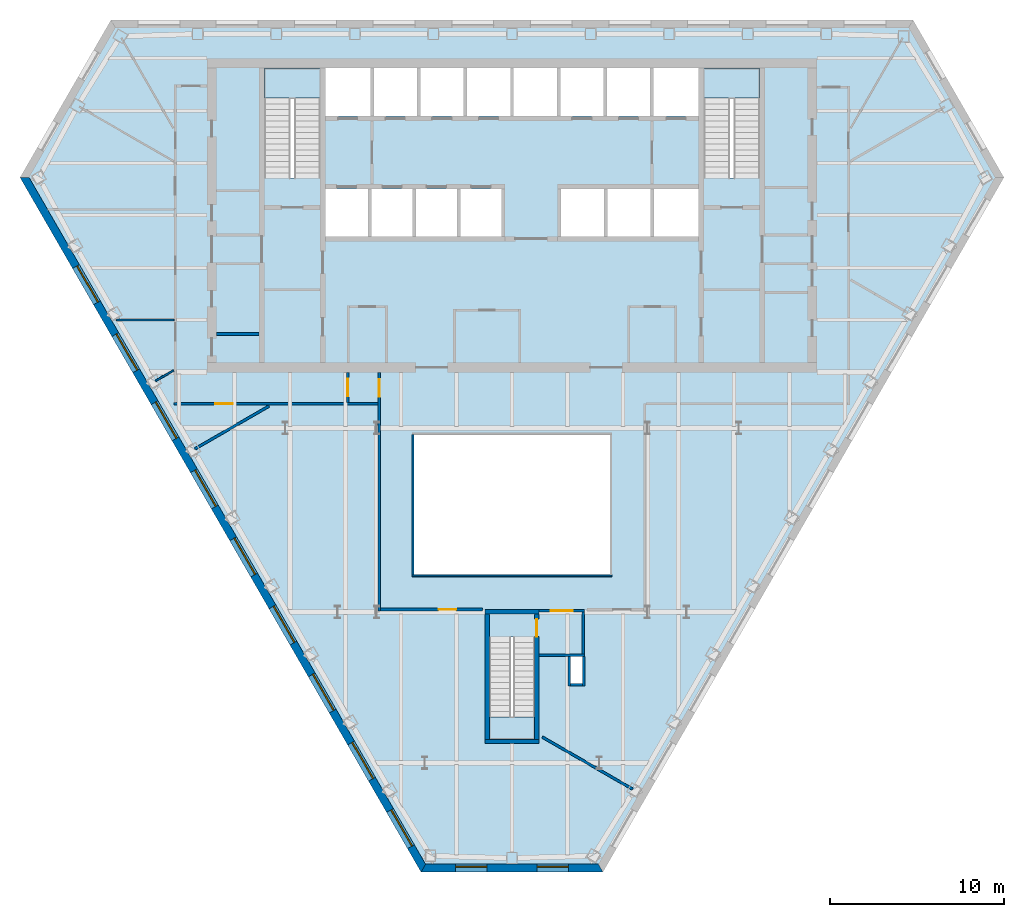
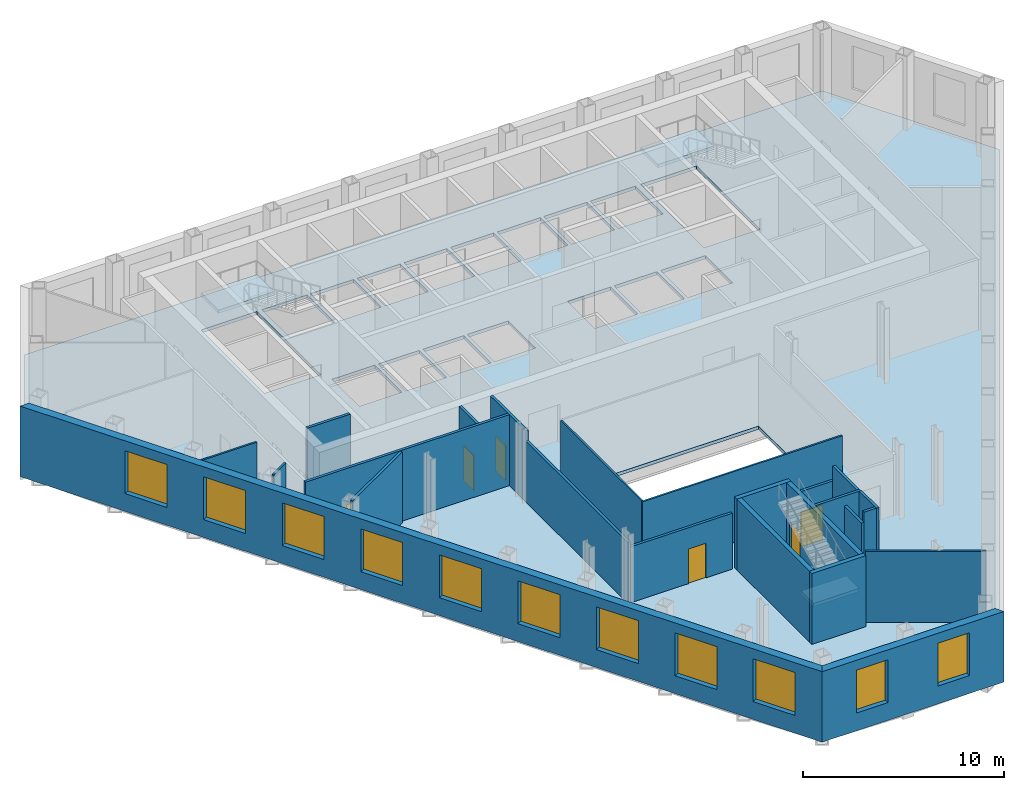
# One storey, part 4 of 11: 24 walls, 11 windows, 6 doors, 4 slabs, 17 openings, 3 elements without a shape of their own.
"""IFC4 building model written with IfcOpenShell, lengths in metres."""

import ifcopenshell
import ifcopenshell.guid

model = None  # the IFC model being written
_history = None  # IfcOwnerHistory: only IFC2X3 demands one
_inside = {}  # id of a spatial element -> (the spatial element, [elements in it])
_under = {}  # id of a project, library or spatial element -> (it, [spatial elements below it])
_declared = {}  # id of a project -> (the project, [libraries it declares])
_typed = {}  # id of a type object -> (the type object, [elements of that type])
_made_of = {}  # id of a material, layer set ... -> (it, [elements and type objects made of it])


def new_model(schema):
    """Start an empty IFC model of exactly this schema.

    Asked for "IFC4X3", IfcOpenShell would pick the latest addendum, in which some entities
    have other attributes; the version numbers below select the first issue.
    IFC2X3 requires an IfcOwnerHistory on every rooted entity: one is made here for all.
    """
    global model, _history
    if schema == "IFC4X3":
        model = ifcopenshell.file(schema_version=(4, 3, 0, 0))
    else:
        model = ifcopenshell.file(schema=schema)
    _inside.clear()
    _under.clear()
    _declared.clear()
    _typed.clear()
    _made_of.clear()
    _history = None
    if model.schema == "IFC2X3":
        org = make("IfcOrganization", Name="unknown")
        user = make(
            "IfcPersonAndOrganization",
            ThePerson=make("IfcPerson", FamilyName="unknown"),
            TheOrganization=org,
        )
        app = make(
            "IfcApplication",
            ApplicationDeveloper=org,
            Version="unknown",
            ApplicationFullName="unknown",
            ApplicationIdentifier="unknown",
        )
        _history = make(
            "IfcOwnerHistory",
            OwningUser=user,
            OwningApplication=app,
            ChangeAction="ADDED",
            CreationDate=0,
        )
    return model


def make(cls, **values):
    """One entity of the class cls with the attributes given. An attribute that is None is left unset."""
    return model.create_entity(
        cls, **{name: value for name, value in values.items() if value is not None}
    )


def rooted(cls, **values):
    """An entity with a GlobalId (a new one), such as an element, a storey or a relation."""
    return make(cls, GlobalId=ifcopenshell.guid.new(), OwnerHistory=_history, **values)


def si_unit(unit_type, name, prefix=None):
    """IfcSIUnit, for example si_unit("LENGTHUNIT", "METRE", prefix="MILLI")."""
    return make("IfcSIUnit", UnitType=unit_type, Prefix=prefix, Name=name)


def assignment(units):
    """IfcUnitAssignment: the units of a project."""
    return None if units is None else make("IfcUnitAssignment", Units=units)


def point(xyz):
    """IfcCartesianPoint."""
    return None if xyz is None else make("IfcCartesianPoint", Coordinates=xyz)


def direction(xyz):
    """IfcDirection."""
    return None if xyz is None else make("IfcDirection", DirectionRatios=xyz)


def frame(location, z_axis=None, x_axis=None):
    """IfcAxis2Placement3D, a coordinate frame: its origin and axes. An axis left out is left unset."""
    return make(
        "IfcAxis2Placement3D",
        Location=point(location),
        Axis=direction(z_axis),
        RefDirection=direction(x_axis),
    )


def frame_2d(location, x_axis=None):
    """IfcAxis2Placement2D, a coordinate frame in the plane: its origin and x axis."""
    return make(
        "IfcAxis2Placement2D", Location=point(location), RefDirection=direction(x_axis)
    )


def origin():
    """The frame at (0, 0, 0) with its axes left unset."""
    return frame((0.0, 0.0, 0.0))


def place(relative_to, where):
    """IfcLocalPlacement: puts the frame where relative to a parent placement (None: the world)."""
    return make(
        "IfcLocalPlacement", PlacementRelTo=relative_to, RelativePlacement=where
    )


def context(
    kind, dimensions, precision=None, world=None, true_north=None, identifier=None
):
    """IfcGeometricRepresentationContext, for example the 3D "Model" context."""
    return make(
        "IfcGeometricRepresentationContext",
        ContextIdentifier=identifier,
        ContextType=kind,
        CoordinateSpaceDimension=dimensions,
        Precision=precision,
        WorldCoordinateSystem=world,
        TrueNorth=true_north,
    )


def subcontext(parent, identifier, kind, view, scale=None):
    """IfcGeometricRepresentationSubContext, for example "Body" below "Model"."""
    return make(
        "IfcGeometricRepresentationSubContext",
        ContextIdentifier=identifier,
        ContextType=kind,
        ParentContext=parent,
        TargetScale=scale,
        TargetView=view,
    )


def project(units=None, contexts=None):
    """IfcProject with its units and contexts."""
    return rooted(
        "IfcProject",
        Name="project",
        RepresentationContexts=contexts,
        UnitsInContext=assignment(units),
    )


def spatial(cls, under=None, at=None, **own):
    """A site, building, storey or space (cls), placed at a placement, below another one or the project."""
    s = rooted(cls, ObjectPlacement=at, **own)
    if under is not None:
        _under.setdefault(under.id(), (under, []))[1].append(s)
    return s


def polyline(points):
    """IfcPolyline through the points."""
    return make("IfcPolyline", Points=[point(p) for p in points])


def profile(cls, at=None, kind="AREA", **sizes):
    """A parametric profile (cls). Its sizes go by their IFC names, for example OverallWidth=200.0."""
    return make(cls, ProfileType=kind, Position=at, **sizes)


def rectangle(**sizes):
    """IfcRectangleProfileDef."""
    return profile("IfcRectangleProfileDef", **sizes)


def outline(outer, holes=None, kind="AREA"):
    """IfcArbitraryClosedProfileDef: a profile drawn as a closed curve; with holes, ...WithVoids."""
    if holes is None:
        return make("IfcArbitraryClosedProfileDef", ProfileType=kind, OuterCurve=outer)
    return make(
        "IfcArbitraryProfileDefWithVoids",
        ProfileType=kind,
        OuterCurve=outer,
        InnerCurves=holes,
    )


def extrude(swept, where, along, depth):
    """IfcExtrudedAreaSolid: the profile swept, set in the frame where, extruded along a direction by depth."""
    return make(
        "IfcExtrudedAreaSolid",
        SweptArea=swept,
        Position=where,
        ExtrudedDirection=direction(along),
        Depth=depth,
    )


def shape(context_of_items, identifier, shape_type, items):
    """IfcShapeRepresentation: the items that make up one representation, for example the "Body"."""
    return make(
        "IfcShapeRepresentation",
        ContextOfItems=context_of_items,
        RepresentationIdentifier=identifier,
        RepresentationType=shape_type,
        Items=items,
    )


def material(Name=None, Category=None):
    """IfcMaterial."""
    return make("IfcMaterial", Name=Name, Category=Category)


def layer(
    of_material, thickness, ventilated=None, Name=None, Category=None, Priority=None
):
    """IfcMaterialLayer: one layer of a wall or slab, of a material (None: an air gap)."""
    return make(
        "IfcMaterialLayer",
        Material=of_material,
        LayerThickness=thickness,
        IsVentilated=ventilated,
        Name=Name,
        Category=Category,
        Priority=Priority,
    )


def layer_set(layers, Name=None):
    """IfcMaterialLayerSet."""
    return make("IfcMaterialLayerSet", MaterialLayers=layers, LayerSetName=Name)


def made_of(thing, what):
    """Note that an element or type object is made of a material, layer set ...; save() writes the relation."""
    if what is not None:
        _made_of.setdefault(what.id(), (what, []))[1].append(thing)
    return thing


def type_object(cls, material=None, **own):
    """A type object (cls), such as IfcWallType, which elements share."""
    return made_of(rooted(cls, **own), material)


def element(
    cls,
    number,
    at=None,
    inside=None,
    cuts=None,
    type_object=None,
    material=None,
    context=None,
    identifier="Body",
    shape_type=None,
    held_by="IfcProductDefinitionShape",
    body=None,
    shapes=None,
    **own,
):
    """One element of the class cls, such as IfcWall. Its Tag is "e" and its number.

    at: its placement. inside: the storey or other place that contains it. cuts: it is an
    opening in that element (IfcRelVoidsElement). A single representation is given by context,
    identifier, shape_type and body (its items); several are given by shapes. held_by: the class
    of the entity that holds the representations. save() writes the other relations.
    """
    e = rooted(cls, Tag="e%d" % number, ObjectPlacement=at, **own)
    if body is not None:
        shapes = [shape(context, identifier, shape_type, body)]
    if shapes is not None:
        e.Representation = make(held_by, Representations=shapes)
    if inside is not None:
        _inside.setdefault(inside.id(), (inside, []))[1].append(e)
    if cuts is not None:
        rooted(
            "IfcRelVoidsElement", RelatingBuildingElement=cuts, RelatedOpeningElement=e
        )
    if type_object is not None:
        _typed.setdefault(type_object.id(), (type_object, []))[1].append(e)
    return made_of(e, material)


def fill(opening, filler):
    """IfcRelFillsElement: the door or window that sits in an opening."""
    return rooted(
        "IfcRelFillsElement",
        RelatingOpeningElement=opening,
        RelatedBuildingElement=filler,
    )


def aggregate(whole, parts):
    """IfcRelAggregates: a whole, such as a stair, and the parts it consists of."""
    return rooted("IfcRelAggregates", RelatingObject=whole, RelatedObjects=parts)


def save(model, path):
    """Write the relations noted so far, then the file.

    IfcRelAggregates (storeys below a building ...), IfcRelContainedInSpatialStructure (elements
    in a storey), IfcRelDefinesByType, IfcRelAssociatesMaterial and IfcRelDeclares: one each for
    every whole, place, type object, material and project.
    """
    for whole, parts in _under.values():
        aggregate(whole, parts)
    for where, things in _inside.values():
        rooted(
            "IfcRelContainedInSpatialStructure",
            RelatedElements=things,
            RelatingStructure=where,
        )
    for kind, things in _typed.values():
        rooted("IfcRelDefinesByType", RelatedObjects=things, RelatingType=kind)
    for what, things in _made_of.values():
        rooted("IfcRelAssociatesMaterial", RelatedObjects=things, RelatingMaterial=what)
    for by, libraries in _declared.values():
        rooted("IfcRelDeclares", RelatingContext=by, RelatedDefinitions=libraries)
    model.write(path)


model = new_model("IFC4")

# Units and contexts
model_context = context("Model", 3, precision=1e-05, world=origin(), true_north=direction((0.0, 1.0)))
body_context = subcontext(model_context, "Body", "Model", "MODEL_VIEW")
ifc_project = project(units=[si_unit("LENGTHUNIT", "METRE"), si_unit("AREAUNIT", "SQUARE_METRE"), si_unit("VOLUMEUNIT", "CUBIC_METRE"), si_unit("PLANEANGLEUNIT", "RADIAN"), si_unit("MASSUNIT", "GRAM", prefix="KILO")], contexts=[model_context])

# Site, building, storey
site_placement = place(None, origin())
site = spatial("IfcSite", under=ifc_project, at=site_placement, CompositionType="ELEMENT")
building_placement = place(site_placement, origin())
building = spatial("IfcBuilding", under=site, at=building_placement, Name="Njiva Tower", CompositionType="ELEMENT")
storey_placement = place(building_placement, frame((0.0, 0.0, 84.3)))
storey = spatial("IfcBuildingStorey", under=building, at=storey_placement, Name="L17", CompositionType="ELEMENT", Elevation=84.3)

# Stair, slab
ifc_material_1 = material(Name="Concrete C40/50", Category="concrete")
stair_type_1 = type_object("IfcStairType", Name="ST4 Exit stair 1500", PredefinedType="HALF_TURN_STAIR", material=ifc_material_1)
stair_1_placement = place(storey_placement, origin())
stair_1 = element("IfcStair", 1, at=stair_1_placement, inside=storey, type_object=stair_type_1, Name="Stair A", PredefinedType="HALF_TURN_STAIR")
ifc_layer_1 = layer(ifc_material_1, 0.2)
ifc_layer_set_1 = layer_set([ifc_layer_1], Name="Concrete C40/50")
slab_type_1 = type_object("IfcSlabType", Name="FL9 Stair landing 200", PredefinedType="LANDING", material=ifc_layer_set_1)
slab_1_placement = place(storey_placement, frame((0.0, 0.0, 2.05)))
slab_1 = element("IfcSlab", 2, at=slab_1_placement, type_object=slab_type_1, Name="ST-A landing 1", PredefinedType="LANDING", context=body_context, shape_type="SweptSolid", body=[
    extrude(outline(polyline([(-14.206, 15.72), (-10.994, 15.72), (-10.994, 17.45), (-14.206, 17.45), (-14.206, 15.72)])), origin(), (0.0, 0.0, 1.0), 0.2),
])
aggregate(stair_1, [slab_1])

stair_2_placement = place(storey_placement, origin())
stair_2 = element("IfcStair", 3, at=stair_2_placement, inside=storey, type_object=stair_type_1, Name="Stair B", PredefinedType="HALF_TURN_STAIR")
slab_2_placement = place(storey_placement, frame((0.0, 0.0, 2.05)))
slab_2 = element("IfcSlab", 4, at=slab_2_placement, type_object=slab_type_1, Name="ST-B landing 1", PredefinedType="LANDING", context=body_context, shape_type="SweptSolid", body=[
    extrude(outline(polyline([(10.994, 15.72), (14.206, 15.72), (14.206, 17.45), (10.994, 17.45), (10.994, 15.72)])), origin(), (0.0, 0.0, 1.0), 0.2),
])
aggregate(stair_2, [slab_2])

stair_type_2 = type_object("IfcStairType", Name="ST1 Exit stair 1250", PredefinedType="HALF_TURN_STAIR", material=ifc_material_1)
stair_3_placement = place(storey_placement, origin())
stair_3 = element("IfcStair", 5, at=stair_3_placement, inside=storey, type_object=stair_type_2, Name="Stair C", PredefinedType="HALF_TURN_STAIR")
slab_3_placement = place(storey_placement, frame((0.0, 0.0, 2.05)))
slab_3 = element("IfcSlab", 6, at=slab_3_placement, type_object=slab_type_1, Name="ST-C landing 1", PredefinedType="LANDING", context=body_context, shape_type="SweptSolid", body=[
    extrude(outline(polyline([(-1.306, -21.05), (1.306, -21.05), (1.306, -19.78), (-1.306, -19.78), (-1.306, -21.05)])), origin(), (0.0, 0.0, 1.0), 0.2),
])
aggregate(stair_3, [slab_3])

# Slab
ifc_material_2 = material(Name="Concrete C30/37", Category="concrete")
ifc_layer_2 = layer(ifc_material_2, 0.2)
ifc_layer_set_2 = layer_set([ifc_layer_2], Name="Concrete C30/37")
slab_type_2 = type_object("IfcSlabType", Name="SL16 Composite floor slab 200", PredefinedType="FLOOR", material=ifc_layer_set_2)
slab_4_placement = place(storey_placement, frame((0.0, 0.0, -0.2)))
element("IfcSlab", 7, at=slab_4_placement, inside=storey, type_object=slab_type_2, Name="Floor slab L17", PredefinedType="FLOOR", context=body_context, shape_type="SweptSolid", body=[
    extrude(outline(polyline([(27.9502, 11.1674), (5.0851, -28.4362), (-5.0851, -28.4362), (-27.9502, 11.1674), (-22.8651, 19.975), (22.8651, 19.975), (27.9502, 11.1674)]), holes=[polyline([(10.994, 11.13), (14.206, 11.13), (14.206, 17.45), (10.994, 17.45), (10.994, 11.13)]), polyline([(8.125, 17.45), (8.125, 14.7), (10.7, 14.7), (10.7, 17.45), (8.125, 17.45)]), polyline([(8.1333, 10.5), (8.1333, 7.8), (10.7, 7.8), (10.7, 10.5), (8.1333, 10.5)]), polyline([(5.4667, 10.5), (5.4667, 7.8), (7.9333, 7.8), (7.9333, 10.5), (5.4667, 10.5)]), polyline([(5.45, 17.45), (5.45, 14.7), (7.925, 14.7), (7.925, 17.45), (5.45, 17.45)]), polyline([(5.61, -11.6), (5.61, -3.6), (-5.61, -3.6), (-5.61, -11.6), (5.61, -11.6)]), polyline([(2.8, 7.8), (5.2667, 7.8), (5.2667, 10.5), (2.8, 10.5), (2.8, 7.8)]), polyline([(2.775, 14.7), (5.25, 14.7), (5.25, 17.45), (2.775, 17.45), (2.775, 14.7)]), polyline([(3.35, -17.85), (4.05, -17.85), (4.05, -16.3), (3.35, -16.3), (3.35, -17.85)]), polyline([(0.1, 14.7), (2.575, 14.7), (2.575, 17.45), (0.1, 17.45), (0.1, 14.7)]), polyline([(-1.306, -21.05), (1.306, -21.05), (1.306, -15.19), (-1.306, -15.19), (-1.306, -21.05)]), polyline([(-2.575, 17.45), (-2.575, 14.7), (-0.1, 14.7), (-0.1, 17.45), (-2.575, 17.45)]), polyline([(-2.95, 10.5), (-2.95, 7.8), (-0.6, 7.8), (-0.6, 10.5), (-2.95, 10.5)]), polyline([(-5.25, 17.45), (-5.25, 14.7), (-2.775, 14.7), (-2.775, 17.45), (-5.25, 17.45)]), polyline([(-5.5, 10.5), (-5.5, 7.8), (-3.15, 7.8), (-3.15, 10.5), (-5.5, 10.5)]), polyline([(-7.925, 14.7), (-5.45, 14.7), (-5.45, 17.45), (-7.925, 17.45), (-7.925, 14.7)]), polyline([(-8.05, 7.8), (-5.7, 7.8), (-5.7, 10.5), (-8.05, 10.5), (-8.05, 7.8)]), polyline([(-10.7, 14.7), (-8.125, 14.7), (-8.125, 17.45), (-10.7, 17.45), (-10.7, 14.7)]), polyline([(-10.7, 7.8), (-8.25, 7.8), (-8.25, 10.5), (-10.7, 10.5), (-10.7, 7.8)]), polyline([(-14.206, 11.13), (-10.994, 11.13), (-10.994, 17.45), (-14.206, 17.45), (-14.206, 11.13)])]), origin(), (0.0, 0.0, 1.0), 0.2),
])

# Walls
ifc_material_3 = material(Name="Blockwork", Category="masonry")
ifc_layer_3 = layer(ifc_material_3, 0.15)
ifc_layer_set_3 = layer_set([ifc_layer_3], Name="Blockwork")
wall_type_1 = type_object("IfcWallType", Name="WT1 Compartment partition 150", PredefinedType="PARTITIONING", material=ifc_layer_set_3)
wall_1_placement = place(storey_placement, frame((-16.95, 2.1948, 0.0), z_axis=(0.0, 0.0, 1.0), x_axis=(1.0, 0.0, 0.0)))
element("IfcWall", 8, at=wall_1_placement, inside=storey, type_object=wall_type_1, Name="Partition strip W00", PredefinedType="PARTITIONING", context=body_context, shape_type="SweptSolid", body=[
    extrude(rectangle(XDim=2.45, YDim=0.15, at=frame_2d((1.225, 0.0))), origin(), (0.0, 0.0, 1.0), 4.3),
])
ifc_material_4 = material(Name="Gypsum board on steel studs", Category="gypsum")
ifc_layer_4 = layer(ifc_material_4, 0.1)
ifc_layer_set_4 = layer_set([ifc_layer_4], Name="Gypsum board on steel studs")
wall_type_2 = type_object("IfcWallType", Name="WT20 Gypsum partition 100", PredefinedType="PARTITIONING", material=ifc_layer_set_4)
wall_2_placement = place(storey_placement, frame((-22.68, 3.004, 0.0), z_axis=(0.0, 0.0, 1.0), x_axis=(0.99999885563, -0.001512857573, 0.0)))
element("IfcWall", 9, at=wall_2_placement, inside=storey, type_object=wall_type_2, Name="Partition S06-P003", PredefinedType="PARTITIONING", context=body_context, shape_type="SweptSolid", body=[
    extrude(rectangle(XDim=3.305, YDim=0.1, at=frame_2d((1.6525, 0.0))), origin(), (0.0, 0.0, 1.0), 3.8),
])
wall_3_placement = place(storey_placement, frame((-20.44, -0.49, 0.0), z_axis=(0.0, 0.0, 1.0), x_axis=(0.866546020567, 0.499097179154, 0.0)))
element("IfcWall", 10, at=wall_3_placement, inside=storey, type_object=wall_type_2, Name="Partition S06-P005", PredefinedType="PARTITIONING", context=body_context, shape_type="SweptSolid", body=[
    extrude(rectangle(XDim=1.2002, YDim=0.1, at=frame_2d((0.6001, 0.0))), origin(), (0.0, 0.0, 1.0), 4.3),
])

# Wall, opening, door
ifc_layer_5 = layer(ifc_material_4, 0.15)
ifc_layer_set_5 = layer_set([ifc_layer_5], Name="Gypsum board on steel studs")
wall_type_3 = type_object("IfcWallType", Name="WT21 Compartment wall 150", PredefinedType="PARTITIONING", material=ifc_layer_set_5)
wall_4_placement = place(storey_placement, frame((-19.375, -1.8, 0.0), z_axis=(0.0, 0.0, 1.0), x_axis=(1.0, 0.0, 0.0)))
wall_4 = element("IfcWall", 11, at=wall_4_placement, inside=storey, type_object=wall_type_3, Name="Partition S06-P006", PredefinedType="PARTITIONING", context=body_context, shape_type="SweptSolid", body=[
    extrude(rectangle(XDim=11.69, YDim=0.15, at=frame_2d((5.845, 0.0))), origin(), (0.0, 0.0, 1.0), 4.3),
])
opening_1_placement = place(wall_4_placement, frame((2.365, 0.0, 0.0)))
opening_1 = element("IfcOpeningElement", 12, at=opening_1_placement, cuts=wall_4, Name="Opening S06-D001", PredefinedType="OPENING", context=body_context, shape_type="SweptSolid", body=[
    extrude(rectangle(XDim=1.0, YDim=2.1, at=frame_2d((0.5, 1.05))), frame((0.0, 0.085, 0.0), z_axis=(0.0, -1.0, 0.0), x_axis=(1.0, 0.0, 0.0)), (0.0, 0.0, 1.0), 0.17),
])
ifc_material_5 = material(Name="Steel fire door set", Category="steel")
door_type_1 = type_object("IfcDoorType", Name="D37 Fire door 1000x2100", OperationType="SINGLE_SWING_LEFT", PredefinedType="DOOR", material=ifc_material_5)
door_1_placement = place(opening_1_placement, origin())
door_1 = element("IfcDoor", 13, at=door_1_placement, inside=storey, type_object=door_type_1, Name="Door S06-D001", OperationType="SINGLE_SWING_LEFT", OverallHeight=2.1, OverallWidth=1.0, PredefinedType="DOOR", context=body_context, shape_type="SweptSolid", body=[
    extrude(rectangle(XDim=1.0, YDim=2.1, at=frame_2d((0.5, 1.05))), frame((0.0, 0.025, 0.0), z_axis=(0.0, -1.0, 0.0), x_axis=(1.0, 0.0, 0.0)), (0.0, 0.0, 1.0), 0.05),
])
fill(opening_1, door_1)

# Wall
wall_5_placement = place(storey_placement, frame((-18.186, -4.394, 0.0), z_axis=(0.0, 0.0, 1.0), x_axis=(0.866053278629, 0.499951716245, 0.0)))
element("IfcWall", 14, at=wall_5_placement, inside=storey, type_object=wall_type_3, Name="Partition S06-P011", PredefinedType="PARTITIONING", context=body_context, shape_type="SweptSolid", body=[
    extrude(rectangle(XDim=4.9085, YDim=0.15, at=frame_2d((2.4542, 0.0))), origin(), (0.0, 0.0, 1.0), 4.3),
])

# Wall, opening, door
wall_6_placement = place(storey_placement, frame((-9.41, -1.725, 0.0), z_axis=(0.0, 0.0, 1.0), x_axis=(0.0, 1.0, 0.0)))
wall_6 = element("IfcWall", 15, at=wall_6_placement, inside=storey, type_object=wall_type_3, Name="Partition S06-P012", PredefinedType="PARTITIONING", context=body_context, shape_type="SweptSolid", body=[
    extrude(rectangle(XDim=1.725, YDim=0.15, at=frame_2d((0.8625, 0.0))), origin(), (0.0, 0.0, 1.0), 4.3),
])
opening_2_placement = place(wall_6_placement, frame((0.363, 0.0, 0.0)))
opening_2 = element("IfcOpeningElement", 16, at=opening_2_placement, cuts=wall_6, Name="Opening S06-D007", PredefinedType="OPENING", context=body_context, shape_type="SweptSolid", body=[
    extrude(rectangle(XDim=1.0, YDim=2.1, at=frame_2d((0.5, 1.05))), frame((0.0, 0.085, 0.0), z_axis=(0.0, -1.0, 0.0), x_axis=(1.0, 0.0, 0.0)), (0.0, 0.0, 1.0), 0.17),
])
door_2_placement = place(opening_2_placement, origin())
door_2 = element("IfcDoor", 17, at=door_2_placement, inside=storey, type_object=door_type_1, Name="Door S06-D007", OperationType="SINGLE_SWING_LEFT", OverallHeight=2.1, OverallWidth=1.0, PredefinedType="DOOR", context=body_context, shape_type="SweptSolid", body=[
    extrude(rectangle(XDim=1.0, YDim=2.1, at=frame_2d((0.5, 1.05))), frame((0.0, 0.025, 0.0), z_axis=(0.0, -1.0, 0.0), x_axis=(1.0, 0.0, 0.0)), (0.0, 0.0, 1.0), 0.05),
])
fill(opening_2, door_2)

# Wall
wall_7_placement = place(storey_placement, frame((-7.61, -13.675, 0.0), z_axis=(0.0, 0.0, 1.0), x_axis=(0.0, 1.0, 0.0)))
element("IfcWall", 18, at=wall_7_placement, inside=storey, type_object=wall_type_3, Name="Partition S06-P013", PredefinedType="PARTITIONING", context=body_context, shape_type="SweptSolid", body=[
    extrude(rectangle(XDim=10.167, YDim=0.15, at=frame_2d((5.0835, 0.0))), origin(), (0.0, 0.0, 1.0), 3.7),
])

# Wall, opening, door
wall_8_placement = place(storey_placement, frame((-7.61, -3.508, 0.0), z_axis=(0.0, 0.0, 1.0), x_axis=(0.0, 1.0, 0.0)))
wall_8 = element("IfcWall", 19, at=wall_8_placement, inside=storey, type_object=wall_type_3, Name="Partition S06-P013A", PredefinedType="PARTITIONING", context=body_context, shape_type="SweptSolid", body=[
    extrude(rectangle(XDim=3.508, YDim=0.15, at=frame_2d((1.754, 0.0))), origin(), (0.0, 0.0, 1.0), 4.3),
])
opening_3_placement = place(wall_8_placement, frame((2.108, 0.0, 0.0)))
opening_3 = element("IfcOpeningElement", 20, at=opening_3_placement, cuts=wall_8, Name="Opening S06-D008", PredefinedType="OPENING", context=body_context, shape_type="SweptSolid", body=[
    extrude(rectangle(XDim=1.0, YDim=2.1, at=frame_2d((0.5, 1.05))), frame((0.0, 0.085, 0.0), z_axis=(0.0, -1.0, 0.0), x_axis=(1.0, 0.0, 0.0)), (0.0, 0.0, 1.0), 0.17),
])
door_3_placement = place(opening_3_placement, origin())
door_3 = element("IfcDoor", 21, at=door_3_placement, inside=storey, type_object=door_type_1, Name="Door S06-D008", OperationType="SINGLE_SWING_LEFT", OverallHeight=2.1, OverallWidth=1.0, PredefinedType="DOOR", context=body_context, shape_type="SweptSolid", body=[
    extrude(rectangle(XDim=1.0, YDim=2.1, at=frame_2d((0.5, 1.05))), frame((0.0, 0.025, 0.0), z_axis=(0.0, -1.0, 0.0), x_axis=(1.0, 0.0, 0.0)), (0.0, 0.0, 1.0), 0.05),
])
fill(opening_3, door_3)

wall_9_placement = place(storey_placement, frame((-7.535, -13.6, 0.0), z_axis=(0.0, 0.0, 1.0), x_axis=(1.0, 0.0, 0.0)))
wall_9 = element("IfcWall", 22, at=wall_9_placement, inside=storey, type_object=wall_type_3, Name="Partition S06-P014", PredefinedType="PARTITIONING", context=body_context, shape_type="SweptSolid", body=[
    extrude(rectangle(XDim=5.835, YDim=0.15, at=frame_2d((2.9175, 0.0))), origin(), (0.0, 0.0, 1.0), 3.39),
])
opening_4_placement = place(wall_9_placement, frame((3.324, 0.0, 0.0)))
opening_4 = element("IfcOpeningElement", 23, at=opening_4_placement, cuts=wall_9, Name="Opening S06-D009", PredefinedType="OPENING", context=body_context, shape_type="SweptSolid", body=[
    extrude(rectangle(XDim=1.0, YDim=2.1, at=frame_2d((0.5, 1.05))), frame((0.0, 0.085, 0.0), z_axis=(0.0, -1.0, 0.0), x_axis=(1.0, 0.0, 0.0)), (0.0, 0.0, 1.0), 0.17),
])
door_4_placement = place(opening_4_placement, origin())
door_4 = element("IfcDoor", 24, at=door_4_placement, inside=storey, type_object=door_type_1, Name="Door S06-D009", OperationType="SINGLE_SWING_RIGHT", OverallHeight=2.1, OverallWidth=1.0, PredefinedType="DOOR", context=body_context, shape_type="SweptSolid", body=[
    extrude(rectangle(XDim=1.0, YDim=2.1, at=frame_2d((0.5, 1.05))), frame((0.0, 0.025, 0.0), z_axis=(0.0, -1.0, 0.0), x_axis=(1.0, 0.0, 0.0)), (0.0, 0.0, 1.0), 0.05),
])
fill(opening_4, door_4)

# Walls
wall_10_placement = place(storey_placement, frame((1.737, -20.916, 0.0), z_axis=(0.0, 0.0, 1.0), x_axis=(0.866168895605, -0.499751382476, 0.0)))
element("IfcWall", 25, at=wall_10_placement, inside=storey, type_object=wall_type_3, Name="Partition S06-P015", PredefinedType="PARTITIONING", context=body_context, shape_type="SweptSolid", body=[
    extrude(rectangle(XDim=5.985, YDim=0.15, at=frame_2d((2.9925, 0.0))), origin(), (0.0, 0.0, 1.0), 4.3),
])
ifc_layer_6 = layer(ifc_material_3, 0.15)
ifc_layer_set_6 = layer_set([ifc_layer_6], Name="Blockwork")
wall_type_4 = type_object("IfcWallType", Name="WT4 Stair partition 150", PredefinedType="PARTITIONING", material=ifc_layer_set_6)
wall_11_placement = place(storey_placement, frame((1.55, -16.225, 0.0), z_axis=(0.0, 0.0, 1.0), x_axis=(1.0, 0.0, 0.0)))
element("IfcWall", 26, at=wall_11_placement, inside=storey, type_object=wall_type_4, Name="Stair C vestibule wall south", PredefinedType="PARTITIONING", context=body_context, shape_type="SweptSolid", body=[
    extrude(rectangle(XDim=2.6, YDim=0.15, at=frame_2d((1.3, 0.0))), origin(), (0.0, 0.0, 1.0), 4.3),
])
wall_12_placement = place(storey_placement, frame((4.075, -16.15, 0.0), z_axis=(0.0, 0.0, 1.0), x_axis=(0.0, 1.0, 0.0)))
element("IfcWall", 27, at=wall_12_placement, inside=storey, type_object=wall_type_4, Name="Stair C vestibule wall east", PredefinedType="PARTITIONING", context=body_context, shape_type="SweptSolid", body=[
    extrude(rectangle(XDim=2.4, YDim=0.15, at=frame_2d((1.2, 0.0))), origin(), (0.0, 0.0, 1.0), 4.3),
])

# Wall, opening, door
wall_13_placement = place(storey_placement, frame((1.55, -13.675, 0.0), z_axis=(0.0, 0.0, 1.0), x_axis=(1.0, 0.0, 0.0)))
wall_13 = element("IfcWall", 28, at=wall_13_placement, inside=storey, type_object=wall_type_4, Name="Stair C vestibule wall north", PredefinedType="PARTITIONING", context=body_context, shape_type="SweptSolid", body=[
    extrude(rectangle(XDim=2.6, YDim=0.15, at=frame_2d((1.3, 0.0))), origin(), (0.0, 0.0, 1.0), 3.39),
])
opening_5_placement = place(wall_13_placement, frame((0.675, 0.0, 0.0)))
opening_5 = element("IfcOpeningElement", 29, at=opening_5_placement, cuts=wall_13, Name="Opening S06-D939", PredefinedType="OPENING", context=body_context, shape_type="SweptSolid", body=[
    extrude(rectangle(XDim=1.25, YDim=2.1, at=frame_2d((0.625, 1.05))), frame((0.0, 0.085, 0.0), z_axis=(0.0, -1.0, 0.0), x_axis=(1.0, 0.0, 0.0)), (0.0, 0.0, 1.0), 0.17),
])
ifc_material_6 = material(Name="Glazed steel fire door", Category="steel")
door_type_2 = type_object("IfcDoorType", Name="D8 Vestibule corridor door 1250x2100 glazed", OperationType="SINGLE_SWING_LEFT", PredefinedType="DOOR", material=ifc_material_6)
door_5_placement = place(opening_5_placement, origin())
door_5 = element("IfcDoor", 30, at=door_5_placement, inside=storey, type_object=door_type_2, Name="Stair vestibule corridor door", OperationType="SINGLE_SWING_RIGHT", OverallHeight=2.1, OverallWidth=1.25, PredefinedType="DOOR", context=body_context, shape_type="SweptSolid", body=[
    extrude(rectangle(XDim=1.25, YDim=2.1, at=frame_2d((0.625, 1.05))), frame((0.0, 0.025, 0.0), z_axis=(0.0, -1.0, 0.0), x_axis=(1.0, 0.0, 0.0)), (0.0, 0.0, 1.0), 0.05),
])
fill(opening_5, door_5)

# Walls
wall_14_placement = place(storey_placement, frame((3.275, -18.0, 0.0), z_axis=(0.0, 0.0, 1.0), x_axis=(0.0, 1.0, 0.0)))
element("IfcWall", 31, at=wall_14_placement, inside=storey, type_object=wall_type_4, Name="Stair C pressurisation shaft wall", PredefinedType="PARTITIONING", context=body_context, shape_type="SweptSolid", body=[
    extrude(rectangle(XDim=1.7, YDim=0.15, at=frame_2d((0.85, 0.0))), origin(), (0.0, 0.0, 1.0), 3.7),
])
wall_15_placement = place(storey_placement, frame((3.35, -17.925, 0.0), z_axis=(0.0, 0.0, 1.0), x_axis=(1.0, 0.0, 0.0)))
element("IfcWall", 32, at=wall_15_placement, inside=storey, type_object=wall_type_4, Name="Stair C pressurisation shaft wall", PredefinedType="PARTITIONING", context=body_context, shape_type="SweptSolid", body=[
    extrude(rectangle(XDim=0.7, YDim=0.15, at=frame_2d((0.35, 0.0))), origin(), (0.0, 0.0, 1.0), 4.3),
])
wall_16_placement = place(storey_placement, frame((4.125, -18.0, 0.0), z_axis=(0.0, 0.0, 1.0), x_axis=(0.0, 1.0, 0.0)))
element("IfcWall", 33, at=wall_16_placement, inside=storey, type_object=wall_type_4, Name="Stair C pressurisation shaft wall", PredefinedType="PARTITIONING", context=body_context, shape_type="SweptSolid", body=[
    extrude(rectangle(XDim=1.7, YDim=0.15, at=frame_2d((0.85, 0.0))), origin(), (0.0, 0.0, 1.0), 4.3),
])
ifc_layer_7 = layer(ifc_material_1, 0.25)
ifc_layer_set_7 = layer_set([ifc_layer_7], Name="Concrete C40/50")
wall_type_5 = type_object("IfcWallType", Name="WT9 Stair enclosure wall 250", PredefinedType="SHEAR", material=ifc_layer_set_7)
wall_17_placement = place(storey_placement, frame((-1.425, -21.05, 0.0), z_axis=(0.0, 0.0, 1.0), x_axis=(0.0, 1.0, 0.0)))
element("IfcWall", 34, at=wall_17_placement, inside=storey, type_object=wall_type_5, Name="Stair C wall west", PredefinedType="SHEAR", context=body_context, shape_type="SweptSolid", body=[
    extrude(rectangle(XDim=7.2, YDim=0.25, at=frame_2d((3.6, 0.0))), origin(), (0.0, 0.0, 1.0), 4.3),
])

# Wall, opening, door
wall_18_placement = place(storey_placement, frame((1.425, -21.05, 0.0), z_axis=(0.0, 0.0, 1.0), x_axis=(0.0, 1.0, 0.0)))
wall_18 = element("IfcWall", 35, at=wall_18_placement, inside=storey, type_object=wall_type_5, Name="Stair C wall east", PredefinedType="SHEAR", context=body_context, shape_type="SweptSolid", body=[
    extrude(rectangle(XDim=7.2, YDim=0.25, at=frame_2d((3.6, 0.0))), origin(), (0.0, 0.0, 1.0), 4.3),
])
opening_6_placement = place(wall_18_placement, frame((5.89, 0.0, 0.0)))
opening_6 = element("IfcOpeningElement", 36, at=opening_6_placement, cuts=wall_18, Name="Opening S06-D938", PredefinedType="OPENING", context=body_context, shape_type="SweptSolid", body=[
    extrude(rectangle(XDim=1.0, YDim=2.1, at=frame_2d((0.5, 1.05))), frame((0.0, 0.135, 0.0), z_axis=(0.0, -1.0, 0.0), x_axis=(1.0, 0.0, 0.0)), (0.0, 0.0, 1.0), 0.27),
])
door_type_3 = type_object("IfcDoorType", Name="D9 Stair vestibule door 1000x2100 glazed", OperationType="SINGLE_SWING_LEFT", PredefinedType="DOOR", material=ifc_material_6)
door_6_placement = place(opening_6_placement, origin())
door_6 = element("IfcDoor", 37, at=door_6_placement, inside=storey, type_object=door_type_3, Name="Stair C door", OperationType="SINGLE_SWING_LEFT", OverallHeight=2.1, OverallWidth=1.0, PredefinedType="DOOR", context=body_context, shape_type="SweptSolid", body=[
    extrude(rectangle(XDim=1.0, YDim=2.1, at=frame_2d((0.5, 1.05))), frame((0.0, 0.025, 0.0), z_axis=(0.0, -1.0, 0.0), x_axis=(1.0, 0.0, 0.0)), (0.0, 0.0, 1.0), 0.05),
])
fill(opening_6, door_6)

# Walls
for number, where, z_axis, x_axis, name in (
    (38, (-1.55, -21.175, 0.0), (0.0, 0.0, 1.0), (1.0, 0.0, 0.0), "Stair C wall south"),
    (39, (-1.55, -13.725, 0.0), (0.0, 0.0, 1.0), (1.0, 0.0, 0.0), "Stair C wall north"),
):
    element("IfcWall", number, at=place(storey_placement, frame(where, z_axis=z_axis, x_axis=x_axis)), inside=storey, type_object=wall_type_5, Name=name, PredefinedType="SHEAR", context=body_context, shape_type="SweptSolid", body=[
        extrude(rectangle(XDim=3.1, YDim=0.25, at=frame_2d((1.55, 0.0))), origin(), (0.0, 0.0, 1.0), 4.3),
    ])

# Wall, openings, windows
ifc_material_7 = material(Name="Brick masonry", Category="masonry")
ifc_layer_8 = layer(ifc_material_7, 0.45)
ifc_layer_set_8 = layer_set([ifc_layer_8], Name="Brick masonry")
wall_type_6 = type_object("IfcWallType", Name="WT90 Brick pier and spandrel wall 450", PredefinedType="SOLIDWALL", material=ifc_layer_set_8)
wall_19_placement = place(storey_placement, frame((-27.9502, 11.1674, -0.18), z_axis=(0.0, 0.0, 1.0), x_axis=(0.499999194392, -0.866025868902, 0.0)))
wall_19 = element("IfcWall", 40, at=wall_19_placement, inside=storey, type_object=wall_type_6, Name="Facade wall SW", PredefinedType="SOLIDWALL", context=body_context, shape_type="SweptSolid", body=[
    extrude(outline(polyline([(-0.1299, -0.225), (45.8602, -0.225), (45.6004, 0.225), (0.1299, 0.225), (-0.1299, -0.225)])), origin(), (0.0, 0.0, 1.0), 4.28),
])
opening_7_placement = place(wall_19_placement, frame((5.8919, 0.0, 1.08)))
opening_7 = element("IfcOpeningElement", 41, at=opening_7_placement, cuts=wall_19, Name="Opening S06-W13", PredefinedType="OPENING", context=body_context, shape_type="SweptSolid", body=[
    extrude(rectangle(XDim=2.4, YDim=2.6, at=frame_2d((1.2, 1.3))), frame((0.0, 0.235, 0.0), z_axis=(0.0, -1.0, 0.0), x_axis=(1.0, 0.0, 0.0)), (0.0, 0.0, 1.0), 0.47),
])
opening_8_placement = place(wall_19_placement, frame((10.3985, 0.0, 1.08)))
opening_8 = element("IfcOpeningElement", 42, at=opening_8_placement, cuts=wall_19, Name="Opening S06-W14", PredefinedType="OPENING", context=body_context, shape_type="SweptSolid", body=[
    extrude(rectangle(XDim=2.4, YDim=2.6, at=frame_2d((1.2, 1.3))), frame((0.0, 0.235, 0.0), z_axis=(0.0, -1.0, 0.0), x_axis=(1.0, 0.0, 0.0)), (0.0, 0.0, 1.0), 0.47),
])
opening_9_placement = place(wall_19_placement, frame((14.9052, 0.0, 1.08)))
opening_9 = element("IfcOpeningElement", 43, at=opening_9_placement, cuts=wall_19, Name="Opening S06-W15", PredefinedType="OPENING", context=body_context, shape_type="SweptSolid", body=[
    extrude(rectangle(XDim=2.4, YDim=2.6, at=frame_2d((1.2, 1.3))), frame((0.0, 0.235, 0.0), z_axis=(0.0, -1.0, 0.0), x_axis=(1.0, 0.0, 0.0)), (0.0, 0.0, 1.0), 0.47),
])
opening_10_placement = place(wall_19_placement, frame((19.4118, 0.0, 1.08)))
opening_10 = element("IfcOpeningElement", 44, at=opening_10_placement, cuts=wall_19, Name="Opening S06-W16", PredefinedType="OPENING", context=body_context, shape_type="SweptSolid", body=[
    extrude(rectangle(XDim=2.4, YDim=2.6, at=frame_2d((1.2, 1.3))), frame((0.0, 0.235, 0.0), z_axis=(0.0, -1.0, 0.0), x_axis=(1.0, 0.0, 0.0)), (0.0, 0.0, 1.0), 0.47),
])
opening_11_placement = place(wall_19_placement, frame((23.9184, 0.0, 1.08)))
opening_11 = element("IfcOpeningElement", 45, at=opening_11_placement, cuts=wall_19, Name="Opening S06-W17", PredefinedType="OPENING", context=body_context, shape_type="SweptSolid", body=[
    extrude(rectangle(XDim=2.4, YDim=2.6, at=frame_2d((1.2, 1.3))), frame((0.0, 0.235, 0.0), z_axis=(0.0, -1.0, 0.0), x_axis=(1.0, 0.0, 0.0)), (0.0, 0.0, 1.0), 0.47),
])
opening_12_placement = place(wall_19_placement, frame((28.425, 0.0, 1.08)))
opening_12 = element("IfcOpeningElement", 46, at=opening_12_placement, cuts=wall_19, Name="Opening S06-W18", PredefinedType="OPENING", context=body_context, shape_type="SweptSolid", body=[
    extrude(rectangle(XDim=2.4, YDim=2.6, at=frame_2d((1.2, 1.3))), frame((0.0, 0.235, 0.0), z_axis=(0.0, -1.0, 0.0), x_axis=(1.0, 0.0, 0.0)), (0.0, 0.0, 1.0), 0.47),
])
opening_13_placement = place(wall_19_placement, frame((32.9316, 0.0, 1.08)))
opening_13 = element("IfcOpeningElement", 47, at=opening_13_placement, cuts=wall_19, Name="Opening S06-W19", PredefinedType="OPENING", context=body_context, shape_type="SweptSolid", body=[
    extrude(rectangle(XDim=2.4, YDim=2.6, at=frame_2d((1.2, 1.3))), frame((0.0, 0.235, 0.0), z_axis=(0.0, -1.0, 0.0), x_axis=(1.0, 0.0, 0.0)), (0.0, 0.0, 1.0), 0.47),
])
opening_14_placement = place(wall_19_placement, frame((37.4383, 0.0, 1.08)))
opening_14 = element("IfcOpeningElement", 48, at=opening_14_placement, cuts=wall_19, Name="Opening S06-W20", PredefinedType="OPENING", context=body_context, shape_type="SweptSolid", body=[
    extrude(rectangle(XDim=2.4, YDim=2.6, at=frame_2d((1.2, 1.3))), frame((0.0, 0.235, 0.0), z_axis=(0.0, -1.0, 0.0), x_axis=(1.0, 0.0, 0.0)), (0.0, 0.0, 1.0), 0.47),
])
opening_15_placement = place(wall_19_placement, frame((41.9065, 0.0, 1.08)))
opening_15 = element("IfcOpeningElement", 49, at=opening_15_placement, cuts=wall_19, Name="Opening S06-W21", PredefinedType="OPENING", context=body_context, shape_type="SweptSolid", body=[
    extrude(rectangle(XDim=2.4, YDim=2.6, at=frame_2d((1.2, 1.3))), frame((0.0, 0.235, 0.0), z_axis=(0.0, -1.0, 0.0), x_axis=(1.0, 0.0, 0.0)), (0.0, 0.0, 1.0), 0.47),
])
ifc_material_8 = material(Name="Clear glazing in aluminium frame", Category="aluminium")
window_type_1 = type_object("IfcWindowType", Name="W92 Deep-set window 2400x2600", PartitioningType="SINGLE_PANEL", PredefinedType="WINDOW", material=ifc_material_8)
window_1_placement = place(opening_7_placement, origin())
window_1 = element("IfcWindow", 50, at=window_1_placement, inside=storey, type_object=window_type_1, Name="Window", OverallHeight=2.6, OverallWidth=2.4, PartitioningType="SINGLE_PANEL", PredefinedType="WINDOW", context=body_context, shape_type="SweptSolid", body=[
    extrude(rectangle(XDim=2.4, YDim=2.6, at=frame_2d((1.2, 1.3))), frame((0.0, 0.105, 0.0), z_axis=(0.0, -1.0, 0.0), x_axis=(1.0, 0.0, 0.0)), (0.0, 0.0, 1.0), 0.06),
])
fill(opening_7, window_1)
window_2_placement = place(opening_8_placement, origin())
window_2 = element("IfcWindow", 51, at=window_2_placement, inside=storey, type_object=window_type_1, Name="Window", OverallHeight=2.6, OverallWidth=2.4, PartitioningType="SINGLE_PANEL", PredefinedType="WINDOW", context=body_context, shape_type="SweptSolid", body=[
    extrude(rectangle(XDim=2.4, YDim=2.6, at=frame_2d((1.2, 1.3))), frame((0.0, 0.105, 0.0), z_axis=(0.0, -1.0, 0.0), x_axis=(1.0, 0.0, 0.0)), (0.0, 0.0, 1.0), 0.06),
])
fill(opening_8, window_2)
window_3_placement = place(opening_9_placement, origin())
window_3 = element("IfcWindow", 52, at=window_3_placement, inside=storey, type_object=window_type_1, Name="Window", OverallHeight=2.6, OverallWidth=2.4, PartitioningType="SINGLE_PANEL", PredefinedType="WINDOW", context=body_context, shape_type="SweptSolid", body=[
    extrude(rectangle(XDim=2.4, YDim=2.6, at=frame_2d((1.2, 1.3))), frame((0.0, 0.105, 0.0), z_axis=(0.0, -1.0, 0.0), x_axis=(1.0, 0.0, 0.0)), (0.0, 0.0, 1.0), 0.06),
])
fill(opening_9, window_3)
window_4_placement = place(opening_10_placement, origin())
window_4 = element("IfcWindow", 53, at=window_4_placement, inside=storey, type_object=window_type_1, Name="Window", OverallHeight=2.6, OverallWidth=2.4, PartitioningType="SINGLE_PANEL", PredefinedType="WINDOW", context=body_context, shape_type="SweptSolid", body=[
    extrude(rectangle(XDim=2.4, YDim=2.6, at=frame_2d((1.2, 1.3))), frame((0.0, 0.105, 0.0), z_axis=(0.0, -1.0, 0.0), x_axis=(1.0, 0.0, 0.0)), (0.0, 0.0, 1.0), 0.06),
])
fill(opening_10, window_4)
window_5_placement = place(opening_11_placement, origin())
window_5 = element("IfcWindow", 54, at=window_5_placement, inside=storey, type_object=window_type_1, Name="Window", OverallHeight=2.6, OverallWidth=2.4, PartitioningType="SINGLE_PANEL", PredefinedType="WINDOW", context=body_context, shape_type="SweptSolid", body=[
    extrude(rectangle(XDim=2.4, YDim=2.6, at=frame_2d((1.2, 1.3))), frame((0.0, 0.105, 0.0), z_axis=(0.0, -1.0, 0.0), x_axis=(1.0, 0.0, 0.0)), (0.0, 0.0, 1.0), 0.06),
])
fill(opening_11, window_5)
window_6_placement = place(opening_12_placement, origin())
window_6 = element("IfcWindow", 55, at=window_6_placement, inside=storey, type_object=window_type_1, Name="Window", OverallHeight=2.6, OverallWidth=2.4, PartitioningType="SINGLE_PANEL", PredefinedType="WINDOW", context=body_context, shape_type="SweptSolid", body=[
    extrude(rectangle(XDim=2.4, YDim=2.6, at=frame_2d((1.2, 1.3))), frame((0.0, 0.105, 0.0), z_axis=(0.0, -1.0, 0.0), x_axis=(1.0, 0.0, 0.0)), (0.0, 0.0, 1.0), 0.06),
])
fill(opening_12, window_6)
window_7_placement = place(opening_13_placement, origin())
window_7 = element("IfcWindow", 56, at=window_7_placement, inside=storey, type_object=window_type_1, Name="Window", OverallHeight=2.6, OverallWidth=2.4, PartitioningType="SINGLE_PANEL", PredefinedType="WINDOW", context=body_context, shape_type="SweptSolid", body=[
    extrude(rectangle(XDim=2.4, YDim=2.6, at=frame_2d((1.2, 1.3))), frame((0.0, 0.105, 0.0), z_axis=(0.0, -1.0, 0.0), x_axis=(1.0, 0.0, 0.0)), (0.0, 0.0, 1.0), 0.06),
])
fill(opening_13, window_7)
window_8_placement = place(opening_14_placement, origin())
window_8 = element("IfcWindow", 57, at=window_8_placement, inside=storey, type_object=window_type_1, Name="Window", OverallHeight=2.6, OverallWidth=2.4, PartitioningType="SINGLE_PANEL", PredefinedType="WINDOW", context=body_context, shape_type="SweptSolid", body=[
    extrude(rectangle(XDim=2.4, YDim=2.6, at=frame_2d((1.2, 1.3))), frame((0.0, 0.105, 0.0), z_axis=(0.0, -1.0, 0.0), x_axis=(1.0, 0.0, 0.0)), (0.0, 0.0, 1.0), 0.06),
])
fill(opening_14, window_8)
window_9_placement = place(opening_15_placement, origin())
window_9 = element("IfcWindow", 58, at=window_9_placement, inside=storey, type_object=window_type_1, Name="Window", OverallHeight=2.6, OverallWidth=2.4, PartitioningType="SINGLE_PANEL", PredefinedType="WINDOW", context=body_context, shape_type="SweptSolid", body=[
    extrude(rectangle(XDim=2.4, YDim=2.6, at=frame_2d((1.2, 1.3))), frame((0.0, 0.105, 0.0), z_axis=(0.0, -1.0, 0.0), x_axis=(1.0, 0.0, 0.0)), (0.0, 0.0, 1.0), 0.06),
])
fill(opening_15, window_9)

ifc_material_9 = material(Name="Brick masonry, buff", Category="masonry")
ifc_layer_9 = layer(ifc_material_9, 0.45)
ifc_layer_set_9 = layer_set([ifc_layer_9], Name="Brick masonry, buff")
wall_type_7 = type_object("IfcWallType", Name="WT94 Brick pier and spandrel wall 450, buff", PredefinedType="SOLIDWALL", material=ifc_layer_set_9)
wall_20_placement = place(storey_placement, frame((-5.0851, -28.4362, -0.18), z_axis=(0.0, 0.0, 1.0), x_axis=(1.0, 0.0, 0.0)))
wall_20 = element("IfcWall", 59, at=wall_20_placement, inside=storey, type_object=wall_type_7, Name="Facade wall S", PredefinedType="SOLIDWALL", context=body_context, shape_type="SweptSolid", body=[
    extrude(outline(polyline([(-0.1299, -0.225), (10.3001, -0.225), (10.0403, 0.225), (0.1299, 0.225), (-0.1299, -0.225)])), origin(), (0.0, 0.0, 1.0), 4.28),
])
opening_16_placement = place(wall_20_placement, frame((1.8469, 0.0, 1.08)))
opening_16 = element("IfcOpeningElement", 60, at=opening_16_placement, cuts=wall_20, Name="Opening S06-W22", PredefinedType="OPENING", context=body_context, shape_type="SweptSolid", body=[
    extrude(rectangle(XDim=1.8, YDim=2.6, at=frame_2d((0.9, 1.3))), frame((0.0, 0.235, 0.0), z_axis=(0.0, -1.0, 0.0), x_axis=(1.0, 0.0, 0.0)), (0.0, 0.0, 1.0), 0.47),
])
opening_17_placement = place(wall_20_placement, frame((6.5232, 0.0, 1.08)))
opening_17 = element("IfcOpeningElement", 61, at=opening_17_placement, cuts=wall_20, Name="Opening S06-W23", PredefinedType="OPENING", context=body_context, shape_type="SweptSolid", body=[
    extrude(rectangle(XDim=1.8, YDim=2.6, at=frame_2d((0.9, 1.3))), frame((0.0, 0.235, 0.0), z_axis=(0.0, -1.0, 0.0), x_axis=(1.0, 0.0, 0.0)), (0.0, 0.0, 1.0), 0.47),
])
window_type_2 = type_object("IfcWindowType", Name="W96 Deep-set window 1800x2600", PartitioningType="SINGLE_PANEL", PredefinedType="WINDOW", material=ifc_material_8)
window_10_placement = place(opening_16_placement, origin())
window_10 = element("IfcWindow", 62, at=window_10_placement, inside=storey, type_object=window_type_2, Name="Window", OverallHeight=2.6, OverallWidth=1.8, PartitioningType="SINGLE_PANEL", PredefinedType="WINDOW", context=body_context, shape_type="SweptSolid", body=[
    extrude(rectangle(XDim=1.8, YDim=2.6, at=frame_2d((0.9, 1.3))), frame((0.0, 0.105, 0.0), z_axis=(0.0, -1.0, 0.0), x_axis=(1.0, 0.0, 0.0)), (0.0, 0.0, 1.0), 0.06),
])
fill(opening_16, window_10)
window_11_placement = place(opening_17_placement, origin())
window_11 = element("IfcWindow", 63, at=window_11_placement, inside=storey, type_object=window_type_2, Name="Window", OverallHeight=2.6, OverallWidth=1.8, PartitioningType="SINGLE_PANEL", PredefinedType="WINDOW", context=body_context, shape_type="SweptSolid", body=[
    extrude(rectangle(XDim=1.8, YDim=2.6, at=frame_2d((0.9, 1.3))), frame((0.0, 0.105, 0.0), z_axis=(0.0, -1.0, 0.0), x_axis=(1.0, 0.0, 0.0)), (0.0, 0.0, 1.0), 0.06),
])
fill(opening_17, window_11)

# Walls
ifc_material_10 = material(Name="Fire-resisting glazing EI 90", Category="glass")
ifc_layer_10 = layer(ifc_material_10, 0.1)
ifc_layer_set_10 = layer_set([ifc_layer_10], Name="Fire-resisting glazing EI 90")
wall_type_8 = type_object("IfcWallType", Name="WT95 Fire-resisting glazed screen EI 90", PredefinedType="PARTITIONING", material=ifc_layer_set_10)
wall_21_placement = place(storey_placement, frame((-5.73, -11.67, 0.0), z_axis=(0.0, 0.0, 1.0), x_axis=(1.0, 0.0, 0.0)))
element("IfcWall", 64, at=wall_21_placement, inside=storey, type_object=wall_type_8, Name="Atrium fire screen south", PredefinedType="PARTITIONING", context=body_context, shape_type="SweptSolid", body=[
    extrude(rectangle(XDim=11.46, YDim=0.1, at=frame_2d((5.73, 0.0))), origin(), (0.0, 0.0, 1.0), 4.3),
])
wall_22_placement = place(storey_placement, frame((-5.68, -3.58, 0.0), z_axis=(0.0, 0.0, 1.0), x_axis=(0.0, -1.0, 0.0)))
element("IfcWall", 65, at=wall_22_placement, inside=storey, type_object=wall_type_8, Name="Atrium fire screen west", PredefinedType="PARTITIONING", context=body_context, shape_type="SweptSolid", body=[
    extrude(rectangle(XDim=8.04, YDim=0.1, at=frame_2d((4.02, 0.0))), origin(), (0.0, 0.0, 1.0), 4.3),
])

save(model, "model.ifc")
